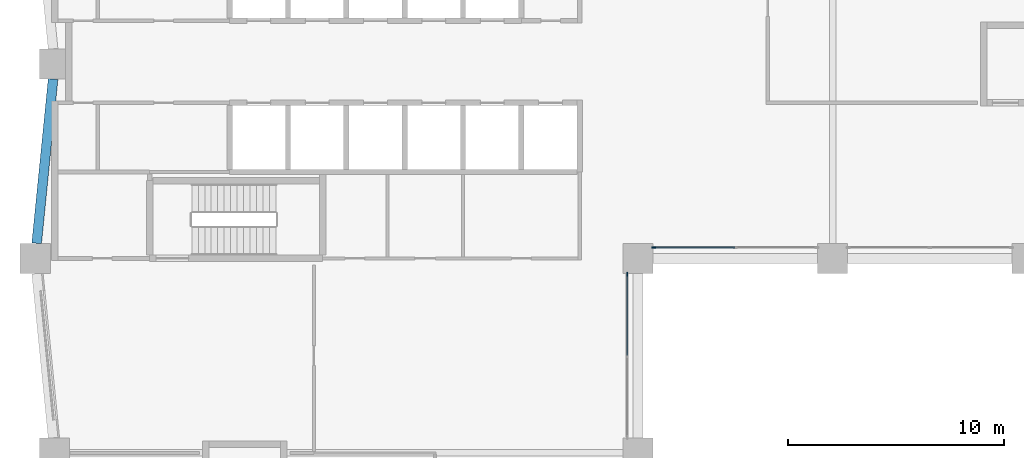
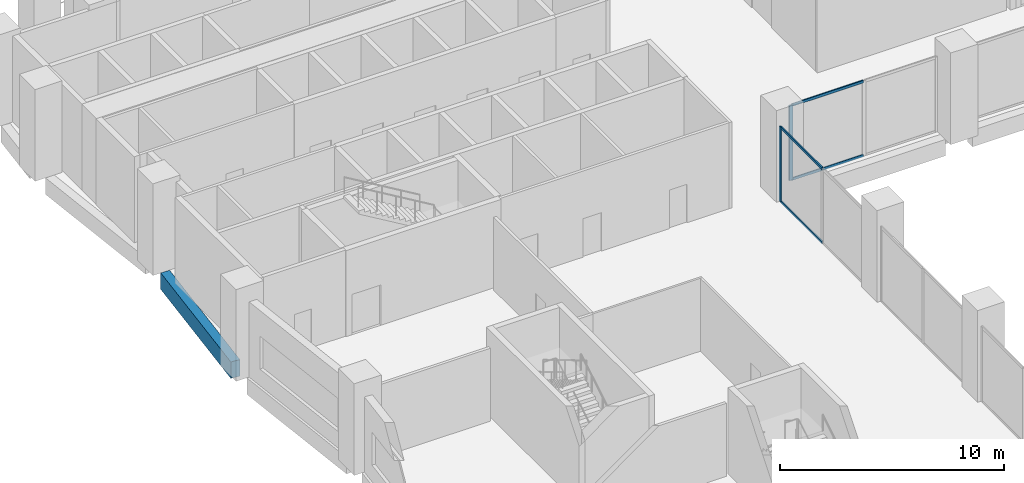
# One storey, part 4 of 17: 6 members, 1 beam, 2 elements without a shape of their own.
"""IFC4 building model written with IfcOpenShell, lengths in metres."""

from ifc_helpers import new_model, si_unit, direction, frame, origin, origin_2d, place, context, subcontext, project, spatial, rectangle, extrude, material, material_profile, profile_set, type_object, element, aggregate, save


model = new_model("IFC4")

# Units and contexts
model_context = context("Model", 3, precision=1e-05, world=origin(), true_north=direction((0.0, 1.0)))
body_context = subcontext(model_context, "Body", "Model", "MODEL_VIEW")
ifc_project = project(units=[si_unit("LENGTHUNIT", "METRE"), si_unit("AREAUNIT", "SQUARE_METRE"), si_unit("VOLUMEUNIT", "CUBIC_METRE"), si_unit("PLANEANGLEUNIT", "RADIAN"), si_unit("MASSUNIT", "GRAM", prefix="KILO")], contexts=[model_context])

# Site, building, storey
site_placement = place(None, origin())
site = spatial("IfcSite", under=ifc_project, at=site_placement, CompositionType="ELEMENT")
building_placement = place(site_placement, origin())
building = spatial("IfcBuilding", under=site, at=building_placement, Name="Brondeck Convention Tower", CompositionType="ELEMENT")
storey_placement = place(building_placement, frame((0.0, 0.0, 14.5)))
storey = spatial("IfcBuildingStorey", under=building, at=storey_placement, Name="L02", CompositionType="ELEMENT", Elevation=14.5)

# Curtain wall, member
ifc_material_1 = material(Name="Aluminium, bronze anodised", Category="aluminium")
curtain_wall_type = type_object("IfcCurtainWallType", Name="Podium hall curtain wall", PredefinedType="NOTDEFINED", material=ifc_material_1)
curtain_wall_1_placement = place(storey_placement, origin())
curtain_wall_1 = element("IfcCurtainWall", 1, at=curtain_wall_1_placement, inside=storey, type_object=curtain_wall_type, Name="ENV-CW2-L02-B-E-01", PredefinedType="NOTDEFINED")
ifc_material_profile_1 = material_profile(ifc_material_1, rectangle(XDim=0.06005859375, YDim=0.179931640625, at=origin_2d()), Name="CW2 mullion")
ifc_profile_set_1 = profile_set([ifc_material_profile_1], Name="Aluminium, bronze anodised")
member_type_1 = type_object("IfcMemberType", Name="CW2 mullion", PredefinedType="MULLION", material=ifc_profile_set_1)
member_1_placement = place(storey_placement, frame((26.5, 35.27001953125, 0.0), z_axis=(0.0, 0.0, 1.0), x_axis=(1.0, 0.0, 0.0)))
member_1 = element("IfcMember", 2, at=member_1_placement, type_object=member_type_1, Name="CW2 mullion 1", PredefinedType="MULLION", context=body_context, shape_type="SweptSolid", body=[
    extrude(rectangle(XDim=0.06005859375, YDim=0.179931640625, at=origin_2d()), origin(), (0.0, 0.0, 1.0), 4.10009765625),
])

curtain_wall_2_placement = place(storey_placement, origin())
curtain_wall_2 = element("IfcCurtainWall", 3, at=curtain_wall_2_placement, inside=storey, type_object=curtain_wall_type, Name="ENV-CW2-L02-A-S-01", PredefinedType="NOTDEFINED")
member_2_placement = place(storey_placement, frame((27.72998046875, 36.5, 0.0), z_axis=(0.0, 0.0, 1.0), x_axis=(0.0, -1.0, 0.0)))
member_2 = element("IfcMember", 4, at=member_2_placement, type_object=member_type_1, Name="CW2 mullion 3", PredefinedType="MULLION", context=body_context, shape_type="SweptSolid", body=[
    extrude(rectangle(XDim=0.06005859375, YDim=0.179931640625, at=origin_2d()), origin(), (0.0, 0.0, 1.0), 4.10009765625),
])

# Member
ifc_material_profile_2 = material_profile(ifc_material_1, rectangle(XDim=0.06005859375, YDim=0.139892578125, at=origin_2d()), Name="CW2 transom")
ifc_profile_set_2 = profile_set([ifc_material_profile_2], Name="Aluminium, bronze anodised")
member_type_2 = type_object("IfcMemberType", Name="CW2 transom", PredefinedType="USERDEFINED", material=ifc_profile_set_2)
member_3_placement = place(storey_placement, frame((26.5, 35.239990234375, 0.030029296875), z_axis=(0.0, -1.0, 0.0), x_axis=(1.0, 0.0, 0.0)))
member_3 = element("IfcMember", 5, at=member_3_placement, type_object=member_type_2, Name="CW2 transom 1.1", ObjectType="TRANSOM", PredefinedType="USERDEFINED", context=body_context, shape_type="SweptSolid", body=[
    extrude(rectangle(XDim=0.06005859375, YDim=0.139892578125, at=origin_2d()), origin(), (0.0, 0.0, 1.0), 3.7099609375),
])

member_4_placement = place(storey_placement, frame((26.5, 35.239990234375, 4.070068359375), z_axis=(0.0, -1.0, 0.0), x_axis=(1.0, 0.0, 0.0)))
member_4 = element("IfcMember", 6, at=member_4_placement, type_object=member_type_2, Name="CW2 transom 1.2", ObjectType="TRANSOM", PredefinedType="USERDEFINED", context=body_context, shape_type="SweptSolid", body=[
    extrude(rectangle(XDim=0.06005859375, YDim=0.139892578125, at=origin_2d()), origin(), (0.0, 0.0, 1.0), 3.7099609375),
])

aggregate(curtain_wall_1, [member_1, member_3, member_4])

member_5_placement = place(storey_placement, frame((31.469970703125, 36.5, 0.030029296875), z_axis=(-1.0, 0.0, 0.0), x_axis=(0.0, -1.0, 0.0)))
member_5 = element("IfcMember", 7, at=member_5_placement, type_object=member_type_2, Name="CW2 transom 2.1", ObjectType="TRANSOM", PredefinedType="USERDEFINED", context=body_context, shape_type="SweptSolid", body=[
    extrude(rectangle(XDim=0.06005859375, YDim=0.139892578125, at=origin_2d()), origin(), (0.0, 0.0, 1.0), 3.7099609375),
])

member_6_placement = place(storey_placement, frame((31.469970703125, 36.5, 4.070068359375), z_axis=(-1.0, 0.0, 0.0), x_axis=(0.0, -1.0, 0.0)))
member_6 = element("IfcMember", 8, at=member_6_placement, type_object=member_type_2, Name="CW2 transom 2.2", ObjectType="TRANSOM", PredefinedType="USERDEFINED", context=body_context, shape_type="SweptSolid", body=[
    extrude(rectangle(XDim=0.06005859375, YDim=0.139892578125, at=origin_2d()), origin(), (0.0, 0.0, 1.0), 3.7099609375),
])

aggregate(curtain_wall_2, [member_2, member_5, member_6])

# Beam
ifc_material_2 = material(Name="Concrete C80/95", Category="concrete")
ifc_material_profile_3 = material_profile(ifc_material_2, rectangle(XDim=0.449951171875, YDim=0.89990234375, at=origin_2d()), Name="Edge beam 450x900 Concrete C80/95")
ifc_profile_set_3 = profile_set([ifc_material_profile_3], Name="Concrete C80/95")
beam_type = type_object("IfcBeamType", Name="Edge beam 450x900 Concrete C80/95", PredefinedType="BEAM", material=ifc_profile_set_3)
beam_placement = place(storey_placement, frame((-0.070068359375, 44.300048828125, -0.449951171875), z_axis=(-0.099503719021, -0.99503719021, 0.0), x_axis=(0.99503719021, -0.099503719021, 0.0)))
element("IfcBeam", 9, at=beam_placement, inside=storey, type_object=beam_type, Name="STR-SP-L02-032", PredefinedType="BEAM", context=body_context, shape_type="SweptSolid", body=[
    extrude(rectangle(XDim=0.449951171875, YDim=0.89990234375, at=origin_2d()), origin(), (0.0, 0.0, 1.0), 7.637939453125),
])

save(model, "model.ifc")
